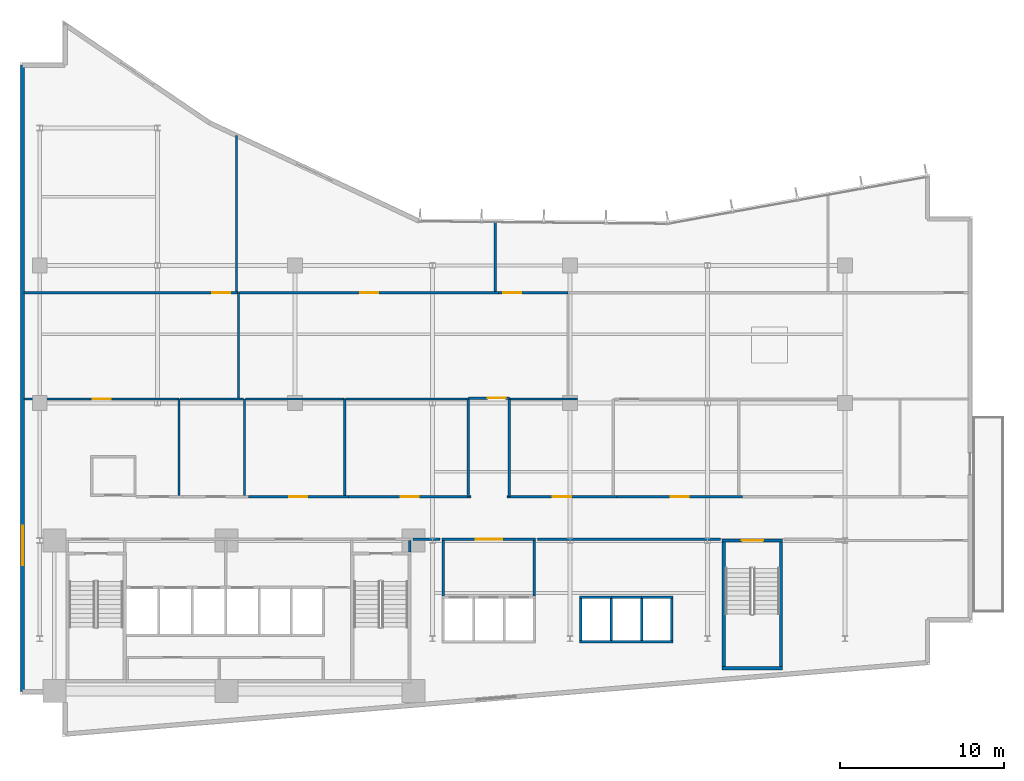
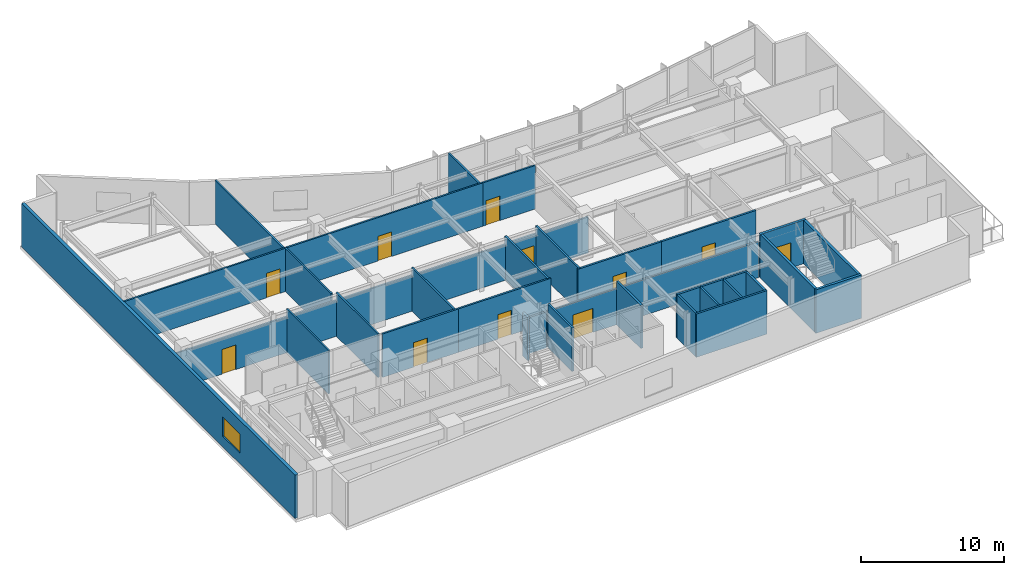
# One storey, part 11 of 18: 40 walls, 11 doors, 1 window, 12 openings.
"""IFC4 building model written with IfcOpenShell, lengths in metres."""

from ifc_helpers import new_model, si_unit, direction, frame, frame_2d, origin, place, context, subcontext, project, spatial, rectangle, extrude, material, layer, layer_set, type_object, element, fill, save


model = new_model("IFC4")

# Units and contexts
model_context = context("Model", 3, precision=1e-05, world=origin(), true_north=direction((0.0, 1.0)))
body_context = subcontext(model_context, "Body", "Model", "MODEL_VIEW")
ifc_project = project(units=[si_unit("LENGTHUNIT", "METRE"), si_unit("AREAUNIT", "SQUARE_METRE"), si_unit("VOLUMEUNIT", "CUBIC_METRE"), si_unit("PLANEANGLEUNIT", "RADIAN"), si_unit("MASSUNIT", "GRAM", prefix="KILO")], contexts=[model_context])

# Site, building, storey
site_placement = place(None, origin())
site = spatial("IfcSite", under=ifc_project, at=site_placement, CompositionType="ELEMENT")
building_placement = place(site_placement, origin())
building = spatial("IfcBuilding", under=site, at=building_placement, Name="Varnakote Quay Hospital", CompositionType="ELEMENT")
storey_placement = place(building_placement, frame((0.0, 0.0, 30.39990234375)))
storey = spatial("IfcBuildingStorey", under=building, at=storey_placement, Name="L07", CompositionType="ELEMENT", Elevation=30.39990234375)

# Walls
ifc_material_1 = material(Name="Fire-rated acoustic gypsum stud wall", Category="gypsum")
ifc_layer_1 = layer(ifc_material_1, 0.159912109375)
ifc_layer_set_1 = layer_set([ifc_layer_1], Name="Fire-rated acoustic gypsum stud wall")
wall_type_1 = type_object("IfcWallType", Name="WL-COMP-160", PredefinedType="PARTITIONING", material=ifc_layer_set_1)
wall_1_placement = place(storey_placement, frame((23.820068359375, 11.300048828125, 0.0), z_axis=(0.0, 0.0, 1.0), x_axis=(0.0, 1.0, 0.0)))
element("IfcWall", 1, at=wall_1_placement, inside=storey, type_object=wall_type_1, Name="L07 East Stair Vestibule East Wall", PredefinedType="PARTITIONING", context=body_context, shape_type="SweptSolid", body=[
    extrude(rectangle(XDim=0.699951171875, YDim=0.159912109375, at=frame_2d((0.35009765625, 0.0))), origin(), (0.0, 0.0, 1.0), 3.710205078125),
])
for number, where, z_axis, x_axis, name in (
    (2, (25.8701171875, 8.610107421875, 0.0), (0.0, 0.0, 1.0), (0.0, 1.0, 0.0), "L07 Low-Rise Lift Lobby West Wall"),
    (3, (31.429931640625, 8.610107421875, 0.0), (0.0, 0.0, 1.0), (0.0, 1.0, 0.0), "L07 Low-Rise Lift Lobby East Wall"),
):
    element("IfcWall", number, at=place(storey_placement, frame(where, z_axis=z_axis, x_axis=x_axis)), inside=storey, type_object=wall_type_1, Name=name, PredefinedType="PARTITIONING", context=body_context, shape_type="SweptSolid", body=[
        extrude(rectangle(XDim=3.389892578125, YDim=0.159912109375, at=frame_2d((1.69482421875, 0.0))), origin(), (0.0, 0.0, 1.0), 3.710205078125),
    ])

# Wall, opening, door
wall_2_placement = place(storey_placement, frame((25.7900390625, 12.080078125, 0.0), z_axis=(0.0, 0.0, 1.0), x_axis=(1.0, 0.0, 0.0)))
wall_2 = element("IfcWall", 4, at=wall_2_placement, inside=storey, type_object=wall_type_1, Name="L07 Low-Rise Lift Lobby North Wall", PredefinedType="PARTITIONING", context=body_context, shape_type="SweptSolid", body=[
    extrude(rectangle(XDim=5.719970703125, YDim=0.159912109375, at=frame_2d((2.85986328125, 0.0))), origin(), (0.0, 0.0, 1.0), 3.072998046875),
])
opening_1_placement = place(wall_2_placement, frame((2.06005859375, 0.0, 0.0)))
opening_1 = element("IfcOpeningElement", 5, at=opening_1_placement, cuts=wall_2, Name="Opening D-PLL-L07", PredefinedType="OPENING", context=body_context, shape_type="SweptSolid", body=[
    extrude(rectangle(XDim=1.60009765625, YDim=2.050048828125, at=frame_2d((0.800048828125, 1.02490234375))), frame((0.0, 0.08984375, 0.0), z_axis=(0.0, -1.0, 0.0), x_axis=(1.0, 0.0, 0.0)), (0.0, 0.0, 1.0), 0.179931640625),
])
ifc_material_2 = material(Name="Fire-rated double smoke lobby door")
door_type_1 = type_object("IfcDoorType", Name="DR-LOBBY-FD60S-1600x2150", OperationType="NOTDEFINED", PredefinedType="DOOR", material=ifc_material_2)
door_1_placement = place(opening_1_placement, origin())
door_1 = element("IfcDoor", 6, at=door_1_placement, inside=storey, type_object=door_type_1, Name="L07 Low-Rise Passenger Concourse Vestibule Door", OperationType="DOUBLE_DOOR_SINGLE_SWING", OverallHeight=2.050048828125, OverallWidth=1.60009765625, PredefinedType="DOOR", context=body_context, shape_type="SweptSolid", body=[
    extrude(rectangle(XDim=1.60009765625, YDim=2.050048828125, at=frame_2d((0.800048828125, 1.02490234375))), frame((0.0, 0.02490234375, 0.0), z_axis=(0.0, -1.0, 0.0), x_axis=(1.0, 0.0, 0.0)), (0.0, 0.0, 1.0), 0.050048828125),
])
fill(opening_1, door_1)

# Walls
wall_3_placement = place(storey_placement, frame((24.02001953125, 12.080078125, 0.0), z_axis=(0.0, 0.0, 1.0), x_axis=(1.0, 0.0, 0.0)))
element("IfcWall", 7, at=wall_3_placement, inside=storey, type_object=wall_type_1, Name="L07 Corridor South Gap Wall", PredefinedType="PARTITIONING", context=body_context, shape_type="SweptSolid", body=[
    extrude(rectangle(XDim=1.64990234375, YDim=0.159912109375, at=frame_2d((0.824951171875, 0.0))), origin(), (0.0, 0.0, 1.0), 3.072998046875),
])
wall_4_placement = place(storey_placement, frame((31.6298828125, 12.080078125, 0.0), z_axis=(0.0, 0.0, 1.0), x_axis=(1.0, 0.0, 0.0)))
element("IfcWall", 8, at=wall_4_placement, inside=storey, type_object=wall_type_1, Name="L07 Corridor South Gap Wall", PredefinedType="PARTITIONING", context=body_context, shape_type="SweptSolid", body=[
    extrude(rectangle(XDim=11.180908203125, YDim=0.159912109375, at=frame_2d((5.59033203125, 0.0))), origin(), (0.0, 0.0, 1.0), 3.072998046875),
])

# Wall, opening, window
ifc_material_3 = material(Name="Precast concrete N50 (f'c 50 MPa)", Category="concrete")
ifc_layer_2 = layer(ifc_material_3, 0.260009765625)
ifc_layer_set_2 = layer_set([ifc_layer_2], Name="Precast concrete N50 (f'c 50 MPa)")
wall_type_2 = type_object("IfcWallType", Name="WL-EXT-BRICK-260", PredefinedType="STANDARD", material=ifc_layer_set_2)
wall_5_placement = place(storey_placement, frame((0.159912109375, 41.0400390625, 0.0), z_axis=(0.0, 0.0, 1.0), x_axis=(0.0, -1.0, 0.0)))
wall_5 = element("IfcWall", 9, at=wall_5_placement, inside=storey, type_object=wall_type_2, Name="L07 Brick-Faced Precast Exterior Wall", PredefinedType="STANDARD", context=body_context, shape_type="SweptSolid", body=[
    extrude(rectangle(XDim=38.280029296875, YDim=0.260009765625, at=frame_2d((19.14013671875, 0.0))), origin(), (0.0, 0.0, 1.0), 3.710205078125),
])
opening_2_placement = place(wall_5_placement, frame((28.14990234375, 0.0, 0.89990234375)))
opening_2 = element("IfcOpeningElement", 10, at=opening_2_placement, cuts=wall_5, Name="Opening WN-0045", PredefinedType="OPENING", context=body_context, shape_type="SweptSolid", body=[
    extrude(rectangle(XDim=2.39990234375, YDim=1.64990234375, at=frame_2d((1.199951171875, 0.824951171875))), frame((0.0, 0.139892578125, 0.0), z_axis=(0.0, -1.0, 0.0), x_axis=(1.0, 0.0, 0.0)), (0.0, 0.0, 1.0), 0.280029296875),
])
ifc_material_4 = material(Name="Double-glazed low-E solar glass", Category="glass")
window_type = type_object("IfcWindowType", Name="WIN-CLIN-2400x1650", PartitioningType="SINGLE_PANEL", PredefinedType="WINDOW", material=ifc_material_4)
window_placement = place(opening_2_placement, origin())
window = element("IfcWindow", 11, at=window_placement, inside=storey, type_object=window_type, Name="L07 Solar-Control Clinical Window", OverallHeight=1.64990234375, OverallWidth=2.39990234375, PartitioningType="SINGLE_PANEL", PredefinedType="WINDOW", context=body_context, shape_type="SweptSolid", body=[
    extrude(rectangle(XDim=2.39990234375, YDim=1.64990234375, at=frame_2d((1.199951171875, 0.824951171875))), frame((0.0, 0.030029296875, 0.0), z_axis=(0.0, -1.0, 0.0), x_axis=(1.0, 0.0, 0.0)), (0.0, 0.0, 1.0), 0.06005859375),
])
fill(opening_2, window)

# Walls
ifc_material_5 = material(Name="Concrete N50 (f'c 50 MPa)", Category="concrete")
ifc_layer_3 = layer(ifc_material_5, 0.14990234375)
ifc_layer_set_3 = layer_set([ifc_layer_3], Name="Concrete N50 (f'c 50 MPa)")
wall_type_3 = type_object("IfcWallType", Name="WL-SHAFT-N50-150", PredefinedType="SHEAR", material=ifc_layer_set_3)
for number, where, z_axis, x_axis, name in (
    (12, (36.125, 5.89990234375, 0.0), (0.0, 0.0, 1.0), (0.0, 1.0, 0.0), "L07 LF-PM1 Hoistway Divider Wall"),
    (13, (37.97509765625, 5.89990234375, 0.0), (0.0, 0.0, 1.0), (0.0, 1.0, 0.0), "L07 LF-PM2 Hoistway Divider Wall"),
):
    element("IfcWall", number, at=place(storey_placement, frame(where, z_axis=z_axis, x_axis=x_axis)), inside=storey, type_object=wall_type_3, Name=name, PredefinedType="SHEAR", context=body_context, shape_type="SweptSolid", body=[
        extrude(rectangle(XDim=2.550048828125, YDim=0.14990234375, at=frame_2d((1.27490234375, 0.0))), origin(), (0.0, 0.0, 1.0), 3.710205078125),
    ])
ifc_material_6 = material(Name="Concrete N50 (f'c 50 MPa)", Category="concrete")
ifc_layer_4 = layer(ifc_material_6, 0.159912109375)
ifc_layer_set_4 = layer_set([ifc_layer_4], Name="Concrete N50 (f'c 50 MPa)")
wall_type_4 = type_object("IfcWallType", Name="WL-SHAFT-N50-160", PredefinedType="SHEAR", material=ifc_layer_set_4)
wall_6_placement = place(storey_placement, frame((34.18994140625, 5.820068359375, 0.0), z_axis=(0.0, 0.0, 1.0), x_axis=(1.0, 0.0, 0.0)))
element("IfcWall", 14, at=wall_6_placement, inside=storey, type_object=wall_type_4, Name="L07 MID Lift Bank Back Shear Wall", PredefinedType="SHEAR", context=body_context, shape_type="SweptSolid", body=[
    extrude(rectangle(XDim=5.719970703125, YDim=0.159912109375, at=frame_2d((2.85986328125, 0.0))), origin(), (0.0, 0.0, 1.0), 3.710205078125),
])
for number, where, z_axis, x_axis, name in (
    (15, (34.27001953125, 5.89990234375, 0.0), (0.0, 0.0, 1.0), (0.0, 1.0, 0.0), "L07 MID Lift Bank West Shear Wall"),
    (16, (39.830078125, 5.89990234375, 0.0), (0.0, 0.0, 1.0), (0.0, 1.0, 0.0), "L07 MID Lift Bank East Shear Wall"),
):
    element("IfcWall", number, at=place(storey_placement, frame(where, z_axis=z_axis, x_axis=x_axis)), inside=storey, type_object=wall_type_4, Name=name, PredefinedType="SHEAR", context=body_context, shape_type="SweptSolid", body=[
        extrude(rectangle(XDim=2.550048828125, YDim=0.159912109375, at=frame_2d((1.27490234375, 0.0))), origin(), (0.0, 0.0, 1.0), 3.710205078125),
    ])
wall_7_placement = place(storey_placement, frame((34.18994140625, 8.530029296875, 0.0), z_axis=(0.0, 0.0, 1.0), x_axis=(1.0, 0.0, 0.0)))
element("IfcWall", 17, at=wall_7_placement, inside=storey, type_object=wall_type_4, Name="L07 LF-PM1 Hoistway Front Wall", PredefinedType="SHEAR", context=body_context, shape_type="SweptSolid", body=[
    extrude(rectangle(XDim=1.93505859375, YDim=0.159912109375, at=frame_2d((0.967529296875, 0.0))), origin(), (0.0, 0.0, 1.0), 3.710205078125),
])
wall_8_placement = place(storey_placement, frame((36.125, 8.530029296875, 0.0), z_axis=(0.0, 0.0, 1.0), x_axis=(1.0, 0.0, 0.0)))
element("IfcWall", 18, at=wall_8_placement, inside=storey, type_object=wall_type_4, Name="L07 LF-PM2 Hoistway Front Wall", PredefinedType="SHEAR", context=body_context, shape_type="SweptSolid", body=[
    extrude(rectangle(XDim=1.85009765625, YDim=0.159912109375, at=frame_2d((0.925048828125, 0.0))), origin(), (0.0, 0.0, 1.0), 3.710205078125),
])
wall_9_placement = place(storey_placement, frame((37.97509765625, 8.530029296875, 0.0), z_axis=(0.0, 0.0, 1.0), x_axis=(1.0, 0.0, 0.0)))
element("IfcWall", 19, at=wall_9_placement, inside=storey, type_object=wall_type_4, Name="L07 LF-PM3 Hoistway Front Wall", PredefinedType="SHEAR", context=body_context, shape_type="SweptSolid", body=[
    extrude(rectangle(XDim=1.934814453125, YDim=0.159912109375, at=frame_2d((0.96728515625, 0.0))), origin(), (0.0, 0.0, 1.0), 3.710205078125),
])
ifc_material_7 = material(Name="Concrete N50 (f'c 50 MPa)", Category="concrete")
ifc_layer_5 = layer(ifc_material_7, 0.199951171875)
ifc_layer_set_5 = layer_set([ifc_layer_5], Name="Concrete N50 (f'c 50 MPa)")
wall_type_5 = type_object("IfcWallType", Name="WL-SHAFT-N50-200", PredefinedType="SHEAR", material=ifc_layer_set_5)
wall_10_placement = place(storey_placement, frame((42.89990234375, 4.199951171875, 0.0), z_axis=(0.0, 0.0, 1.0), x_axis=(1.0, 0.0, 0.0)))
element("IfcWall", 20, at=wall_10_placement, inside=storey, type_object=wall_type_5, Name="L07 Stair ST3 South Shaft Wall", PredefinedType="SHEAR", context=body_context, shape_type="SweptSolid", body=[
    extrude(rectangle(XDim=3.7001953125, YDim=0.199951171875, at=frame_2d((1.85009765625, 0.0))), origin(), (0.0, 0.0, 1.0), 3.710205078125),
])
for number, where, z_axis, x_axis, name in (
    (21, (43.0, 4.300048828125, 0.0), (0.0, 0.0, 1.0), (0.0, 1.0, 0.0), "L07 Stair ST3 West Shaft Wall"),
    (22, (46.5, 4.300048828125, 0.0), (0.0, 0.0, 1.0), (0.0, 1.0, 0.0), "L07 Stair ST3 East Shaft Wall"),
):
    element("IfcWall", number, at=place(storey_placement, frame(where, z_axis=z_axis, x_axis=x_axis)), inside=storey, type_object=wall_type_5, Name=name, PredefinedType="SHEAR", context=body_context, shape_type="SweptSolid", body=[
        extrude(rectangle(XDim=7.599853515625, YDim=0.199951171875, at=frame_2d((3.7998046875, 0.0))), origin(), (0.0, 0.0, 1.0), 3.710205078125),
    ])

# Wall, opening, door
wall_11_placement = place(storey_placement, frame((42.89990234375, 12.0, 0.0), z_axis=(0.0, 0.0, 1.0), x_axis=(1.0, 0.0, 0.0)))
wall_11 = element("IfcWall", 23, at=wall_11_placement, inside=storey, type_object=wall_type_5, Name="L07 Stair ST3 Exit Wall", PredefinedType="SHEAR", context=body_context, shape_type="SweptSolid", body=[
    extrude(rectangle(XDim=3.7001953125, YDim=0.199951171875, at=frame_2d((1.85009765625, 0.0))), origin(), (0.0, 0.0, 1.0), 3.710205078125),
])
opening_3_placement = place(wall_11_placement, frame((1.199951171875, 0.0, 0.0)))
opening_3 = element("IfcOpeningElement", 24, at=opening_3_placement, cuts=wall_11, Name="Opening D-ST3-L07", PredefinedType="OPENING", context=body_context, shape_type="SweptSolid", body=[
    extrude(rectangle(XDim=1.300048828125, YDim=2.14990234375, at=frame_2d((0.64990234375, 1.074951171875))), frame((0.0, 0.10986328125, 0.0), z_axis=(0.0, -1.0, 0.0), x_axis=(1.0, 0.0, 0.0)), (0.0, 0.0, 1.0), 0.219970703125),
])
ifc_material_8 = material(Name="Fire-rated ceramic-glazed timber exit door", Category="wood")
door_type_2 = type_object("IfcDoorType", Name="DR-STAIR-FD60S-1300x2150", OperationType="NOTDEFINED", PredefinedType="DOOR", material=ifc_material_8)
door_2_placement = place(opening_3_placement, origin())
door_2 = element("IfcDoor", 25, at=door_2_placement, inside=storey, type_object=door_type_2, Name="L07 Stair ST3 Fire Exit Door", OperationType="SINGLE_SWING_LEFT", OverallHeight=2.14990234375, OverallWidth=1.300048828125, PredefinedType="DOOR", context=body_context, shape_type="SweptSolid", body=[
    extrude(rectangle(XDim=1.300048828125, YDim=2.14990234375, at=frame_2d((0.64990234375, 1.074951171875))), frame((0.0, 0.02490234375, 0.0), z_axis=(0.0, -1.0, 0.0), x_axis=(1.0, 0.0, 0.0)), (0.0, 0.0, 1.0), 0.050048828125),
])
fill(opening_3, door_2)

# Wall
ifc_material_9 = material(Name="Smoke-proof clinical partition", Category="gypsum")
ifc_layer_6 = layer(ifc_material_9, 0.135009765625)
ifc_layer_set_6 = layer_set([ifc_layer_6], Name="Smoke-proof clinical partition")
wall_type_6 = type_object("IfcWallType", Name="WL-SMOKE-135", PredefinedType="PARTITIONING", material=ifc_layer_set_6)
wall_12_placement = place(storey_placement, frame((9.719970703125, 14.760009765625, 0.0), z_axis=(0.0, 0.0, 1.0), x_axis=(0.0, 1.0, 0.0)))
element("IfcWall", 26, at=wall_12_placement, inside=storey, type_object=wall_type_6, Name="L07 Clinical Interior Partition", PredefinedType="PARTITIONING", context=body_context, shape_type="SweptSolid", body=[
    extrude(rectangle(XDim=5.8798828125, YDim=0.135009765625, at=frame_2d((2.93994140625, 0.0))), origin(), (0.0, 0.0, 1.0), 3.710205078125),
])

# Wall, opening, door
wall_13_placement = place(storey_placement, frame((9.719970703125, 20.639892578125, 0.0), z_axis=(0.0, 0.0, 1.0), x_axis=(-1.0, 0.0, 0.0)))
wall_13 = element("IfcWall", 27, at=wall_13_placement, inside=storey, type_object=wall_type_6, Name="L07 Clinical Interior Partition", PredefinedType="PARTITIONING", context=body_context, shape_type="SweptSolid", body=[
    extrude(rectangle(XDim=9.47998046875, YDim=0.135009765625, at=frame_2d((4.739990234375, 0.0))), origin(), (0.0, 0.0, 1.0), 3.072998046875),
])
opening_4_placement = place(wall_13_placement, frame((4.18994140625, 0.0, 0.0)))
opening_4 = element("IfcOpeningElement", 28, at=opening_4_placement, cuts=wall_13, Name="Opening D-L07-MD08", PredefinedType="OPENING", context=body_context, shape_type="SweptSolid", body=[
    extrude(rectangle(XDim=1.10009765625, YDim=2.10009765625, at=frame_2d((0.550048828125, 1.050048828125))), frame((0.0, 0.077392578125, 0.0), z_axis=(0.0, -1.0, 0.0), x_axis=(1.0, 0.0, 0.0)), (0.0, 0.0, 1.0), 0.155029296875),
])
ifc_material_10 = material(Name="Acoustic timber clinical consult door", Category="wood")
door_type_3 = type_object("IfcDoorType", Name="DR-CLIN-FD30S-1100x2100", OperationType="NOTDEFINED", PredefinedType="DOOR", material=ifc_material_10)
door_3_placement = place(opening_4_placement, origin())
door_3 = element("IfcDoor", 29, at=door_3_placement, inside=storey, type_object=door_type_3, Name="L07 Ward Nurse Station Office Door", OperationType="SINGLE_SWING_RIGHT", OverallHeight=2.10009765625, OverallWidth=1.10009765625, PredefinedType="DOOR", context=body_context, shape_type="SweptSolid", body=[
    extrude(rectangle(XDim=1.10009765625, YDim=2.10009765625, at=frame_2d((0.550048828125, 1.050048828125))), frame((0.0, 0.02490234375, 0.0), z_axis=(0.0, -1.0, 0.0), x_axis=(1.0, 0.0, 0.0)), (0.0, 0.0, 1.0), 0.050048828125),
])
fill(opening_4, door_3)

# Walls
wall_14_placement = place(storey_placement, frame((13.719970703125, 14.760009765625, 0.0), z_axis=(0.0, 0.0, 1.0), x_axis=(0.0, 1.0, 0.0)))
element("IfcWall", 30, at=wall_14_placement, inside=storey, type_object=wall_type_6, Name="L07 Clinical Interior Partition", PredefinedType="PARTITIONING", context=body_context, shape_type="SweptSolid", body=[
    extrude(rectangle(XDim=5.8798828125, YDim=0.135009765625, at=frame_2d((2.93994140625, 0.0))), origin(), (0.0, 0.0, 1.0), 3.710205078125),
])
wall_15_placement = place(storey_placement, frame((13.66259765625, 20.639892578125, 0.0), z_axis=(0.0, 0.0, 1.0), x_axis=(-1.0, 0.0, 0.0)))
element("IfcWall", 31, at=wall_15_placement, inside=storey, type_object=wall_type_6, Name="L07 Clinical Interior Partition", PredefinedType="PARTITIONING", context=body_context, shape_type="SweptSolid", body=[
    extrude(rectangle(XDim=3.885009765625, YDim=0.135009765625, at=frame_2d((1.9423828125, 0.0))), origin(), (0.0, 0.0, 1.0), 3.072998046875),
])
wall_16_placement = place(storey_placement, frame((19.840087890625, 14.760009765625, 0.0), z_axis=(0.0, 0.0, 1.0), x_axis=(0.0, 1.0, 0.0)))
element("IfcWall", 32, at=wall_16_placement, inside=storey, type_object=wall_type_6, Name="L07 Clinical Interior Partition", PredefinedType="PARTITIONING", context=body_context, shape_type="SweptSolid", body=[
    extrude(rectangle(XDim=5.8798828125, YDim=0.135009765625, at=frame_2d((2.93994140625, 0.0))), origin(), (0.0, 0.0, 1.0), 3.710205078125),
])
wall_17_placement = place(storey_placement, frame((19.840087890625, 20.639892578125, 0.0), z_axis=(0.0, 0.0, 1.0), x_axis=(-1.0, 0.0, 0.0)))
element("IfcWall", 33, at=wall_17_placement, inside=storey, type_object=wall_type_6, Name="L07 Clinical Interior Partition", PredefinedType="PARTITIONING", context=body_context, shape_type="SweptSolid", body=[
    extrude(rectangle(XDim=6.0625, YDim=0.135009765625, at=frame_2d((3.03125, 0.0))), origin(), (0.0, 0.0, 1.0), 3.072998046875),
])
wall_18_placement = place(storey_placement, frame((27.320068359375, 20.639892578125, 0.0), z_axis=(0.0, 0.0, 1.0), x_axis=(-1.0, 0.0, 0.0)))
element("IfcWall", 34, at=wall_18_placement, inside=storey, type_object=wall_type_6, Name="L07 Clinical Interior Partition", PredefinedType="PARTITIONING", context=body_context, shape_type="SweptSolid", body=[
    extrude(rectangle(XDim=7.422607421875, YDim=0.135009765625, at=frame_2d((3.71142578125, 0.0))), origin(), (0.0, 0.0, 1.0), 3.072998046875),
])
wall_19_placement = place(storey_placement, frame((34.050048828125, 20.639892578125, 0.0), z_axis=(0.0, 0.0, 1.0), x_axis=(-1.0, 0.0, 0.0)))
element("IfcWall", 35, at=wall_19_placement, inside=storey, type_object=wall_type_6, Name="L07 Clinical Interior Partition", PredefinedType="PARTITIONING", context=body_context, shape_type="SweptSolid", body=[
    extrude(rectangle(XDim=4.0849609375, YDim=0.135009765625, at=frame_2d((2.04248046875, 0.0))), origin(), (0.0, 0.0, 1.0), 3.072998046875),
])
wall_20_placement = place(storey_placement, frame((13.35009765625, 20.697509765625, 0.0), z_axis=(0.0, 0.0, 1.0), x_axis=(0.0, 1.0, 0.0)))
element("IfcWall", 36, at=wall_20_placement, inside=storey, type_object=wall_type_6, Name="L07 Clinical Interior Partition", PredefinedType="PARTITIONING", context=body_context, shape_type="SweptSolid", body=[
    extrude(rectangle(XDim=6.4423828125, YDim=0.135009765625, at=frame_2d((3.22119140625, 0.0))), origin(), (0.0, 0.0, 1.0), 3.710205078125),
])

# Wall, opening, door
wall_21_placement = place(storey_placement, frame((13.35009765625, 27.139892578125, 0.0), z_axis=(0.0, 0.0, 1.0), x_axis=(-1.0, 0.0, 0.0)))
wall_21 = element("IfcWall", 37, at=wall_21_placement, inside=storey, type_object=wall_type_6, Name="L07 Clinical Interior Partition", PredefinedType="PARTITIONING", context=body_context, shape_type="SweptSolid", body=[
    extrude(rectangle(XDim=13.110107421875, YDim=0.135009765625, at=frame_2d((6.55517578125, 0.0))), origin(), (0.0, 0.0, 1.0), 3.710205078125),
])
opening_5_placement = place(wall_21_placement, frame((0.490234375, 0.0, 0.0)))
opening_5 = element("IfcOpeningElement", 38, at=opening_5_placement, cuts=wall_21, Name="Opening D-L07-MD11", PredefinedType="OPENING", context=body_context, shape_type="SweptSolid", body=[
    extrude(rectangle(XDim=1.10009765625, YDim=2.10009765625, at=frame_2d((0.550048828125, 1.050048828125))), frame((0.0, 0.077392578125, 0.0), z_axis=(0.0, -1.0, 0.0), x_axis=(1.0, 0.0, 0.0)), (0.0, 0.0, 1.0), 0.155029296875),
])
door_4_placement = place(opening_5_placement, origin())
door_4 = element("IfcDoor", 39, at=door_4_placement, inside=storey, type_object=door_type_3, Name="L07 Clinical Pharmacy Preparation Pantry Door", OperationType="SINGLE_SWING_RIGHT", OverallHeight=2.10009765625, OverallWidth=1.10009765625, PredefinedType="DOOR", context=body_context, shape_type="SweptSolid", body=[
    extrude(rectangle(XDim=1.10009765625, YDim=2.10009765625, at=frame_2d((0.550048828125, 1.050048828125))), frame((0.0, 0.02490234375, 0.0), z_axis=(0.0, -1.0, 0.0), x_axis=(1.0, 0.0, 0.0)), (0.0, 0.0, 1.0), 0.050048828125),
])
fill(opening_5, door_4)

wall_22_placement = place(storey_placement, frame((29.24755859375, 27.139892578125, 0.0), z_axis=(0.0, 0.0, 1.0), x_axis=(-1.0, 0.0, 0.0)))
wall_22 = element("IfcWall", 40, at=wall_22_placement, inside=storey, type_object=wall_type_6, Name="L07 Clinical Interior Partition", PredefinedType="PARTITIONING", context=body_context, shape_type="SweptSolid", body=[
    extrude(rectangle(XDim=15.840087890625, YDim=0.135009765625, at=frame_2d((7.919921875, 0.0))), origin(), (0.0, 0.0, 1.0), 3.710205078125),
])
opening_6_placement = place(wall_22_placement, frame((7.3701171875, 0.0, 0.0)))
opening_6 = element("IfcOpeningElement", 41, at=opening_6_placement, cuts=wall_22, Name="Opening D-L07-MD12", PredefinedType="OPENING", context=body_context, shape_type="SweptSolid", body=[
    extrude(rectangle(XDim=1.10009765625, YDim=2.10009765625, at=frame_2d((0.550048828125, 1.050048828125))), frame((0.0, 0.077392578125, 0.0), z_axis=(0.0, -1.0, 0.0), x_axis=(1.0, 0.0, 0.0)), (0.0, 0.0, 1.0), 0.155029296875),
])
door_5_placement = place(opening_6_placement, origin())
door_5 = element("IfcDoor", 42, at=door_5_placement, inside=storey, type_object=door_type_3, Name="L07 Ward Nurse Station Office Door", OperationType="SINGLE_SWING_LEFT", OverallHeight=2.10009765625, OverallWidth=1.10009765625, PredefinedType="DOOR", context=body_context, shape_type="SweptSolid", body=[
    extrude(rectangle(XDim=1.10009765625, YDim=2.10009765625, at=frame_2d((0.550048828125, 1.050048828125))), frame((0.0, 0.02490234375, 0.0), z_axis=(0.0, -1.0, 0.0), x_axis=(1.0, 0.0, 0.0)), (0.0, 0.0, 1.0), 0.050048828125),
])
fill(opening_6, door_5)

wall_23_placement = place(storey_placement, frame((33.489990234375, 27.139892578125, 0.0), z_axis=(0.0, 0.0, 1.0), x_axis=(-1.0, 0.0, 0.0)))
wall_23 = element("IfcWall", 43, at=wall_23_placement, inside=storey, type_object=wall_type_6, Name="L07 Clinical Interior Partition", PredefinedType="PARTITIONING", context=body_context, shape_type="SweptSolid", body=[
    extrude(rectangle(XDim=4.240478515625, YDim=0.135009765625, at=frame_2d((2.1201171875, 0.0))), origin(), (0.0, 0.0, 1.0), 3.710205078125),
])
opening_7_placement = place(wall_23_placement, frame((2.8720703125, 0.0, 0.0)))
opening_7 = element("IfcOpeningElement", 44, at=opening_7_placement, cuts=wall_23, Name="Opening D-L07-MD13", PredefinedType="OPENING", context=body_context, shape_type="SweptSolid", body=[
    extrude(rectangle(XDim=1.10009765625, YDim=2.10009765625, at=frame_2d((0.550048828125, 1.050048828125))), frame((0.0, 0.077392578125, 0.0), z_axis=(0.0, -1.0, 0.0), x_axis=(1.0, 0.0, 0.0)), (0.0, 0.0, 1.0), 0.155029296875),
])
door_6_placement = place(opening_7_placement, origin())
door_6 = element("IfcDoor", 45, at=door_6_placement, inside=storey, type_object=door_type_3, Name="L07 Day Procedure Treatment Suite Door", OperationType="SINGLE_SWING_RIGHT", OverallHeight=2.10009765625, OverallWidth=1.10009765625, PredefinedType="DOOR", context=body_context, shape_type="SweptSolid", body=[
    extrude(rectangle(XDim=1.10009765625, YDim=2.10009765625, at=frame_2d((0.550048828125, 1.050048828125))), frame((0.0, 0.02490234375, 0.0), z_axis=(0.0, -1.0, 0.0), x_axis=(1.0, 0.0, 0.0)), (0.0, 0.0, 1.0), 0.050048828125),
])
fill(opening_7, door_6)

# Walls
wall_24_placement = place(storey_placement, frame((13.22998046875, 27.197509765625, 0.0), z_axis=(0.0, 0.0, 1.0), x_axis=(0.0, 1.0, 0.0)))
element("IfcWall", 46, at=wall_24_placement, inside=storey, type_object=wall_type_6, Name="L07 Clinical Interior Partition", PredefinedType="PARTITIONING", context=body_context, shape_type="SweptSolid", body=[
    extrude(rectangle(XDim=9.5361328125, YDim=0.135009765625, at=frame_2d((4.76806640625, 0.0))), origin(), (0.0, 0.0, 1.0), 3.710205078125),
])
wall_25_placement = place(storey_placement, frame((29.0400390625, 27.197509765625, 0.0), z_axis=(0.0, 0.0, 1.0), x_axis=(0.0, 1.0, 0.0)))
element("IfcWall", 47, at=wall_25_placement, inside=storey, type_object=wall_type_6, Name="L07 Clinical Interior Partition", PredefinedType="PARTITIONING", context=body_context, shape_type="SweptSolid", body=[
    extrude(rectangle(XDim=4.24951171875, YDim=0.135009765625, at=frame_2d((2.124755859375, 0.0))), origin(), (0.0, 0.0, 1.0), 3.710205078125),
])

# Wall, opening, door
ifc_material_11 = material(Name="Fire-rated clinical gypsum partition", Category="gypsum")
ifc_layer_7 = layer(ifc_material_11, 0.14990234375)
ifc_layer_set_7 = layer_set([ifc_layer_7], Name="Fire-rated clinical gypsum partition")
wall_type_7 = type_object("IfcWallType", Name="WL-WARD-150", PredefinedType="PARTITIONING", material=ifc_layer_set_7)
wall_26_placement = place(storey_placement, frame((20.06591796875, 14.679931640625, 0.0), z_axis=(0.0, 0.0, 1.0), x_axis=(-1.0, 0.0, 0.0)))
wall_26 = element("IfcWall", 48, at=wall_26_placement, inside=storey, type_object=wall_type_7, Name="L07 Clinical Interior Partition", PredefinedType="PARTITIONING", context=body_context, shape_type="SweptSolid", body=[
    extrude(rectangle(XDim=6.117919921875, YDim=0.14990234375, at=frame_2d((3.05908203125, 0.0))), origin(), (0.0, 0.0, 1.0), 3.710205078125),
])
opening_8_placement = place(wall_26_placement, frame((2.509033203125, 0.0, 0.0)))
opening_8 = element("IfcOpeningElement", 49, at=opening_8_placement, cuts=wall_26, Name="Opening D-L07-MD03", PredefinedType="OPENING", context=body_context, shape_type="SweptSolid", body=[
    extrude(rectangle(XDim=1.10009765625, YDim=2.10009765625, at=frame_2d((0.550048828125, 1.050048828125))), frame((0.0, 0.0849609375, 0.0), z_axis=(0.0, -1.0, 0.0), x_axis=(1.0, 0.0, 0.0)), (0.0, 0.0, 1.0), 0.169921875),
])
door_7_placement = place(opening_8_placement, origin())
door_7 = element("IfcDoor", 50, at=door_7_placement, inside=storey, type_object=door_type_3, Name="L07 Clinical Pharmacy Preparation Pantry Door", OperationType="SINGLE_SWING_LEFT", OverallHeight=2.10009765625, OverallWidth=1.10009765625, PredefinedType="DOOR", context=body_context, shape_type="SweptSolid", body=[
    extrude(rectangle(XDim=1.10009765625, YDim=2.10009765625, at=frame_2d((0.550048828125, 1.050048828125))), frame((0.0, 0.02490234375, 0.0), z_axis=(0.0, -1.0, 0.0), x_axis=(1.0, 0.0, 0.0)), (0.0, 0.0, 1.0), 0.050048828125),
])
fill(opening_8, door_7)

wall_27_placement = place(storey_placement, frame((27.5458984375, 14.679931640625, 0.0), z_axis=(0.0, 0.0, 1.0), x_axis=(-1.0, 0.0, 0.0)))
wall_27 = element("IfcWall", 51, at=wall_27_placement, inside=storey, type_object=wall_type_7, Name="L07 Clinical Interior Partition", PredefinedType="PARTITIONING", context=body_context, shape_type="SweptSolid", body=[
    extrude(rectangle(XDim=7.477783203125, YDim=0.14990234375, at=frame_2d((3.73876953125, 0.0))), origin(), (0.0, 0.0, 1.0), 3.710205078125),
])
opening_9_placement = place(wall_27_placement, frame((3.18896484375, 0.0, 0.0)))
opening_9 = element("IfcOpeningElement", 52, at=opening_9_placement, cuts=wall_27, Name="Opening D-L07-MD04", PredefinedType="OPENING", context=body_context, shape_type="SweptSolid", body=[
    extrude(rectangle(XDim=1.10009765625, YDim=2.10009765625, at=frame_2d((0.550048828125, 1.050048828125))), frame((0.0, 0.0849609375, 0.0), z_axis=(0.0, -1.0, 0.0), x_axis=(1.0, 0.0, 0.0)), (0.0, 0.0, 1.0), 0.169921875),
])
door_8_placement = place(opening_9_placement, origin())
door_8 = element("IfcDoor", 53, at=door_8_placement, inside=storey, type_object=door_type_3, Name="L07 Ward Nurse Station Office Door", OperationType="SINGLE_SWING_RIGHT", OverallHeight=2.10009765625, OverallWidth=1.10009765625, PredefinedType="DOOR", context=body_context, shape_type="SweptSolid", body=[
    extrude(rectangle(XDim=1.10009765625, YDim=2.10009765625, at=frame_2d((0.550048828125, 1.050048828125))), frame((0.0, 0.02490234375, 0.0), z_axis=(0.0, -1.0, 0.0), x_axis=(1.0, 0.0, 0.0)), (0.0, 0.0, 1.0), 0.050048828125),
])
fill(opening_9, door_8)

wall_28_placement = place(storey_placement, frame((36.47607421875, 14.679931640625, 0.0), z_axis=(0.0, 0.0, 1.0), x_axis=(-1.0, 0.0, 0.0)))
wall_28 = element("IfcWall", 54, at=wall_28_placement, inside=storey, type_object=wall_type_7, Name="L07 Clinical Interior Partition", PredefinedType="PARTITIONING", context=body_context, shape_type="SweptSolid", body=[
    extrude(rectangle(XDim=6.72216796875, YDim=0.14990234375, at=frame_2d((3.361083984375, 0.0))), origin(), (0.0, 0.0, 1.0), 3.710205078125),
])
opening_10_placement = place(wall_28_placement, frame((2.81103515625, 0.0, 0.0)))
opening_10 = element("IfcOpeningElement", 55, at=opening_10_placement, cuts=wall_28, Name="Opening D-L07-MD05", PredefinedType="OPENING", context=body_context, shape_type="SweptSolid", body=[
    extrude(rectangle(XDim=1.10009765625, YDim=2.10009765625, at=frame_2d((0.550048828125, 1.050048828125))), frame((0.0, 0.0849609375, 0.0), z_axis=(0.0, -1.0, 0.0), x_axis=(1.0, 0.0, 0.0)), (0.0, 0.0, 1.0), 0.169921875),
])
door_9_placement = place(opening_10_placement, origin())
door_9 = element("IfcDoor", 56, at=door_9_placement, inside=storey, type_object=door_type_3, Name="L07 Day Procedure Treatment Suite Door", OperationType="SINGLE_SWING_LEFT", OverallHeight=2.10009765625, OverallWidth=1.10009765625, PredefinedType="DOOR", context=body_context, shape_type="SweptSolid", body=[
    extrude(rectangle(XDim=1.10009765625, YDim=2.10009765625, at=frame_2d((0.550048828125, 1.050048828125))), frame((0.0, 0.02490234375, 0.0), z_axis=(0.0, -1.0, 0.0), x_axis=(1.0, 0.0, 0.0)), (0.0, 0.0, 1.0), 0.050048828125),
])
fill(opening_10, door_9)

wall_29_placement = place(storey_placement, frame((44.135986328125, 14.679931640625, 0.0), z_axis=(0.0, 0.0, 1.0), x_axis=(-1.0, 0.0, 0.0)))
wall_29 = element("IfcWall", 57, at=wall_29_placement, inside=storey, type_object=wall_type_7, Name="L07 Clinical Interior Partition", PredefinedType="PARTITIONING", context=body_context, shape_type="SweptSolid", body=[
    extrude(rectangle(XDim=7.657958984375, YDim=0.14990234375, at=frame_2d((3.8291015625, 0.0))), origin(), (0.0, 0.0, 1.0), 3.710205078125),
])
opening_11_placement = place(wall_29_placement, frame((3.279052734375, 0.0, 0.0)))
opening_11 = element("IfcOpeningElement", 58, at=opening_11_placement, cuts=wall_29, Name="Opening D-L07-MD06", PredefinedType="OPENING", context=body_context, shape_type="SweptSolid", body=[
    extrude(rectangle(XDim=1.10009765625, YDim=2.10009765625, at=frame_2d((0.550048828125, 1.050048828125))), frame((0.0, 0.0849609375, 0.0), z_axis=(0.0, -1.0, 0.0), x_axis=(1.0, 0.0, 0.0)), (0.0, 0.0, 1.0), 0.169921875),
])
door_10_placement = place(opening_11_placement, origin())
door_10 = element("IfcDoor", 59, at=door_10_placement, inside=storey, type_object=door_type_3, Name="L07 Endoscopy Infusion Treatment Suite Door", OperationType="SINGLE_SWING_RIGHT", OverallHeight=2.10009765625, OverallWidth=1.10009765625, PredefinedType="DOOR", context=body_context, shape_type="SweptSolid", body=[
    extrude(rectangle(XDim=1.10009765625, YDim=2.10009765625, at=frame_2d((0.550048828125, 1.050048828125))), frame((0.0, 0.02490234375, 0.0), z_axis=(0.0, -1.0, 0.0), x_axis=(1.0, 0.0, 0.0)), (0.0, 0.0, 1.0), 0.050048828125),
])
fill(opening_11, door_10)

# Walls
for number, where, z_axis, x_axis, name in (
    (60, (27.39990234375, 20.699951171875, 0.0), (0.0, 0.0, 1.0), (0.0, -1.0, 0.0), "L07 Clinical Interior Partition"),
    (61, (29.89990234375, 14.699951171875, 0.0), (0.0, 0.0, 1.0), (0.0, 1.0, 0.0), "L07 Clinical Interior Partition"),
):
    element("IfcWall", number, at=place(storey_placement, frame(where, z_axis=z_axis, x_axis=x_axis)), inside=storey, type_object=wall_type_7, Name=name, PredefinedType="PARTITIONING", context=body_context, shape_type="SweptSolid", body=[
        extrude(rectangle(XDim=6.0, YDim=0.14990234375, at=frame_2d((3.0, 0.0))), origin(), (0.0, 0.0, 1.0), 3.710205078125),
    ])

# Wall, opening, door
wall_30_placement = place(storey_placement, frame((29.89990234375, 20.699951171875, 0.0), z_axis=(0.0, 0.0, 1.0), x_axis=(-1.0, 0.0, 0.0)))
wall_30 = element("IfcWall", 62, at=wall_30_placement, inside=storey, type_object=wall_type_7, Name="L07 Clinical Interior Partition", PredefinedType="PARTITIONING", context=body_context, shape_type="SweptSolid", body=[
    extrude(rectangle(XDim=2.5, YDim=0.14990234375, at=frame_2d((1.25, 0.0))), origin(), (0.0, 0.0, 1.0), 3.072998046875),
])
opening_12_placement = place(wall_30_placement, frame((0.22509765625, 0.0, 0.0)))
opening_12 = element("IfcOpeningElement", 63, at=opening_12_placement, cuts=wall_30, Name="Opening D-L07-MD09", PredefinedType="OPENING", context=body_context, shape_type="SweptSolid", body=[
    extrude(rectangle(XDim=1.10009765625, YDim=2.10009765625, at=frame_2d((0.550048828125, 1.050048828125))), frame((0.0, 0.0849609375, 0.0), z_axis=(0.0, -1.0, 0.0), x_axis=(1.0, 0.0, 0.0)), (0.0, 0.0, 1.0), 0.169921875),
])
door_11_placement = place(opening_12_placement, origin())
door_11 = element("IfcDoor", 64, at=door_11_placement, inside=storey, type_object=door_type_3, Name="L07 Day Procedure Treatment Suite Door", OperationType="SINGLE_SWING_LEFT", OverallHeight=2.10009765625, OverallWidth=1.10009765625, PredefinedType="DOOR", context=body_context, shape_type="SweptSolid", body=[
    extrude(rectangle(XDim=1.10009765625, YDim=2.10009765625, at=frame_2d((0.550048828125, 1.050048828125))), frame((0.0, 0.02490234375, 0.0), z_axis=(0.0, -1.0, 0.0), x_axis=(1.0, 0.0, 0.0)), (0.0, 0.0, 1.0), 0.050048828125),
])
fill(opening_12, door_11)

save(model, "model.ifc")
